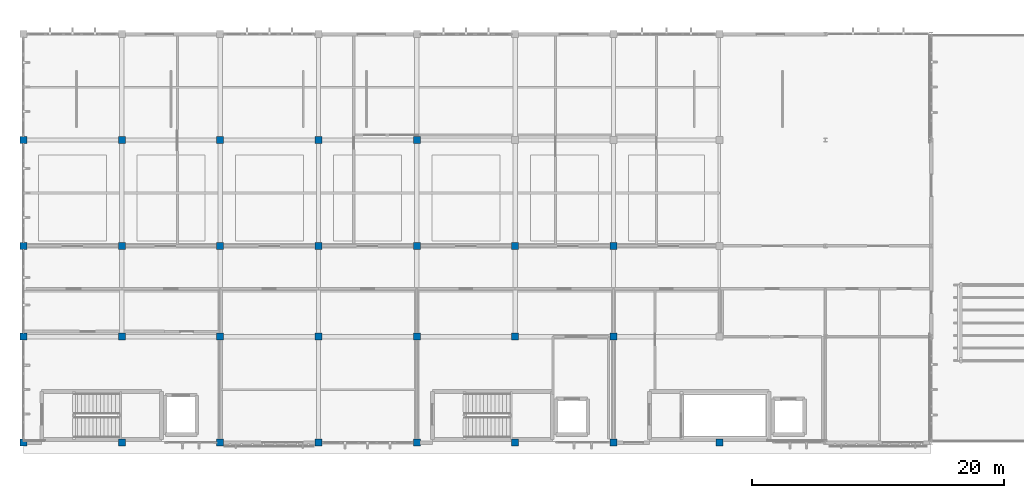
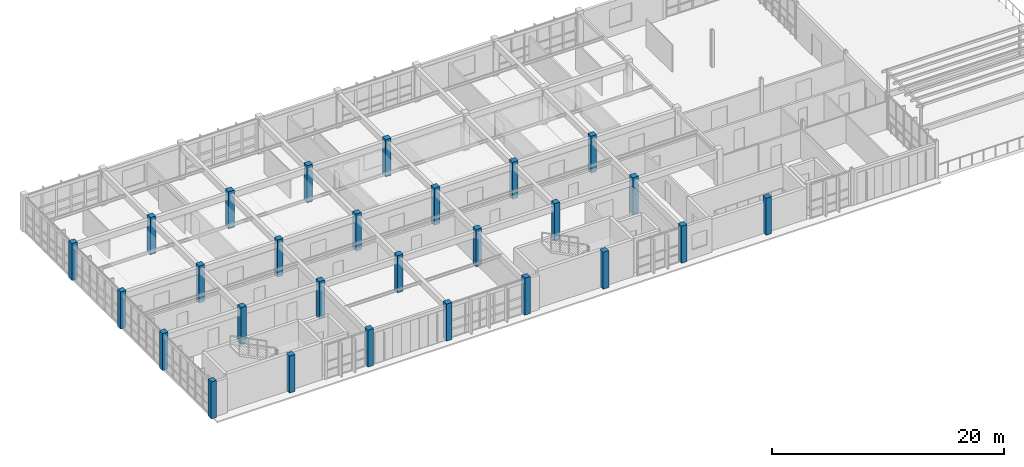
# One storey, part 1 of 35: 27 columns.
"""IFC4 building model written with IfcOpenShell, lengths in metres."""

from ifc_helpers import new_model, si_unit, direction, frame, origin, origin_2d, place, context, subcontext, project, spatial, rectangle, extrude, material, material_profile, profile_set, type_object, element, save


model = new_model("IFC4")

# Units and contexts
model_context = context("Model", 3, precision=1e-05, world=origin(), true_north=direction((0.0, 1.0)))
body_context = subcontext(model_context, "Body", "Model", "MODEL_VIEW")
ifc_project = project(units=[si_unit("LENGTHUNIT", "METRE"), si_unit("AREAUNIT", "SQUARE_METRE"), si_unit("VOLUMEUNIT", "CUBIC_METRE"), si_unit("PLANEANGLEUNIT", "RADIAN"), si_unit("MASSUNIT", "GRAM", prefix="KILO")], contexts=[model_context])

# Site, building, storey
site_placement = place(None, origin())
site = spatial("IfcSite", under=ifc_project, at=site_placement, CompositionType="ELEMENT")
building_placement = place(site_placement, origin())
building = spatial("IfcBuilding", under=site, at=building_placement, Name="Tizgana Railside Sports Hall", CompositionType="ELEMENT")
storey_placement = place(building_placement, frame((0.0, 0.0, 15.89990234375)))
storey = spatial("IfcBuildingStorey", under=building, at=storey_placement, Name="L03", CompositionType="ELEMENT", Elevation=15.89990234375)

# Columns
ifc_material = material(Name="Concrete C40/50", Category="concrete")
ifc_material_profile = material_profile(ifc_material, rectangle(XDim=0.550048828125, YDim=0.550048828125, at=origin_2d()), Name="RC 550x550")
ifc_profile_set = profile_set([ifc_material_profile], Name="Concrete C40/50")
column_type = type_object("IfcColumnType", Name="Concrete Column RC 550x550", PredefinedType="COLUMN", material=ifc_profile_set)
for number, where, z_axis, x_axis, name in (
    (1, (7.800048828125, 0.0, 0.0), (0.0, 0.0, 1.0), (1.0, 0.0, 0.0), "L03 COL-0537"),
    (2, (7.800048828125, 8.39990234375, 0.0), (0.0, 0.0, 1.0), (1.0, 0.0, 0.0), "L03 COL-0544"),
    (3, (7.800048828125, 15.60009765625, 0.0), (0.0, 0.0, 1.0), (1.0, 0.0, 0.0), "L03 COL-0551"),
    (4, (7.800048828125, 24.0, 0.0), (0.0, 0.0, 1.0), (1.0, 0.0, 0.0), "L03 COL-0558"),
    (5, (15.60009765625, 0.0, 0.0), (0.0, 0.0, 1.0), (1.0, 0.0, 0.0), "L03 COL-0570"),
    (6, (15.60009765625, 8.39990234375, 0.0), (0.0, 0.0, 1.0), (1.0, 0.0, 0.0), "L03 COL-0577"),
    (7, (15.60009765625, 15.60009765625, 0.0), (0.0, 0.0, 1.0), (1.0, 0.0, 0.0), "L03 COL-0584"),
    (8, (15.60009765625, 24.0, 0.0), (0.0, 0.0, 1.0), (1.0, 0.0, 0.0), "L03 COL-0591"),
    (9, (23.39990234375, 0.0, 0.0), (0.0, 0.0, 1.0), (1.0, 0.0, 0.0), "L03 COL-0603"),
    (10, (23.39990234375, 8.39990234375, 0.0), (0.0, 0.0, 1.0), (1.0, 0.0, 0.0), "L03 COL-0610"),
    (11, (23.39990234375, 15.60009765625, 0.0), (0.0, 0.0, 1.0), (1.0, 0.0, 0.0), "L03 COL-0617"),
    (12, (23.39990234375, 24.0, 0.0), (0.0, 0.0, 1.0), (1.0, 0.0, 0.0), "L03 COL-0624"),
    (13, (31.199951171875, 0.0, 0.0), (0.0, 0.0, 1.0), (1.0, 0.0, 0.0), "L03 COL-0636"),
    (14, (31.199951171875, 8.39990234375, 0.0), (0.0, 0.0, 1.0), (1.0, 0.0, 0.0), "L03 COL-0642"),
    (15, (31.199951171875, 15.60009765625, 0.0), (0.0, 0.0, 1.0), (1.0, 0.0, 0.0), "L03 COL-0648"),
    (16, (31.199951171875, 24.0, 0.0), (0.0, 0.0, 1.0), (1.0, 0.0, 0.0), "L03 COL-0654"),
    (17, (39.0, 0.0, 0.0), (0.0, 0.0, 1.0), (1.0, 0.0, 0.0), "L03 COL-0666"),
    (18, (39.0, 8.39990234375, 0.0), (0.0, 0.0, 1.0), (1.0, 0.0, 0.0), "L03 COL-0672"),
    (19, (39.0, 15.60009765625, 0.0), (0.0, 0.0, 1.0), (1.0, 0.0, 0.0), "L03 COL-0678"),
    (20, (39.0, 24.0, 0.0), (0.0, 0.0, 1.0), (1.0, 0.0, 0.0), "L03 COL-0684"),
    (21, (46.800048828125, 0.0, 0.0), (0.0, 0.0, 1.0), (1.0, 0.0, 0.0), "L03 COL-0696"),
    (22, (46.800048828125, 8.39990234375, 0.0), (0.0, 0.0, 1.0), (1.0, 0.0, 0.0), "L03 COL-0702"),
    (23, (46.800048828125, 15.60009765625, 0.0), (0.0, 0.0, 1.0), (1.0, 0.0, 0.0), "L03 COL-0708"),
    (24, (54.60009765625, 0.0, 0.0), (0.0, 0.0, 1.0), (1.0, 0.0, 0.0), "L03 COL-0726"),
    (25, (54.60009765625, 8.39990234375, 0.0), (0.0, 0.0, 1.0), (1.0, 0.0, 0.0), "L03 COL-0732"),
    (26, (54.60009765625, 15.60009765625, 0.0), (0.0, 0.0, 1.0), (1.0, 0.0, 0.0), "L03 COL-0738"),
    (27, (63.0, 0.0, 0.0), (0.0, 0.0, 1.0), (1.0, 0.0, 0.0), "L03 COL-0753"),
):
    element("IfcColumn", number, at=place(storey_placement, frame(where, z_axis=z_axis, x_axis=x_axis)), inside=storey, type_object=column_type, Name=name, PredefinedType="COLUMN", context=body_context, shape_type="SweptSolid", body=[
        extrude(rectangle(XDim=0.550048828125, YDim=0.550048828125, at=origin_2d()), origin(), (0.0, 0.0, 1.0), 3.900146484375),
    ])

save(model, "model.ifc")
